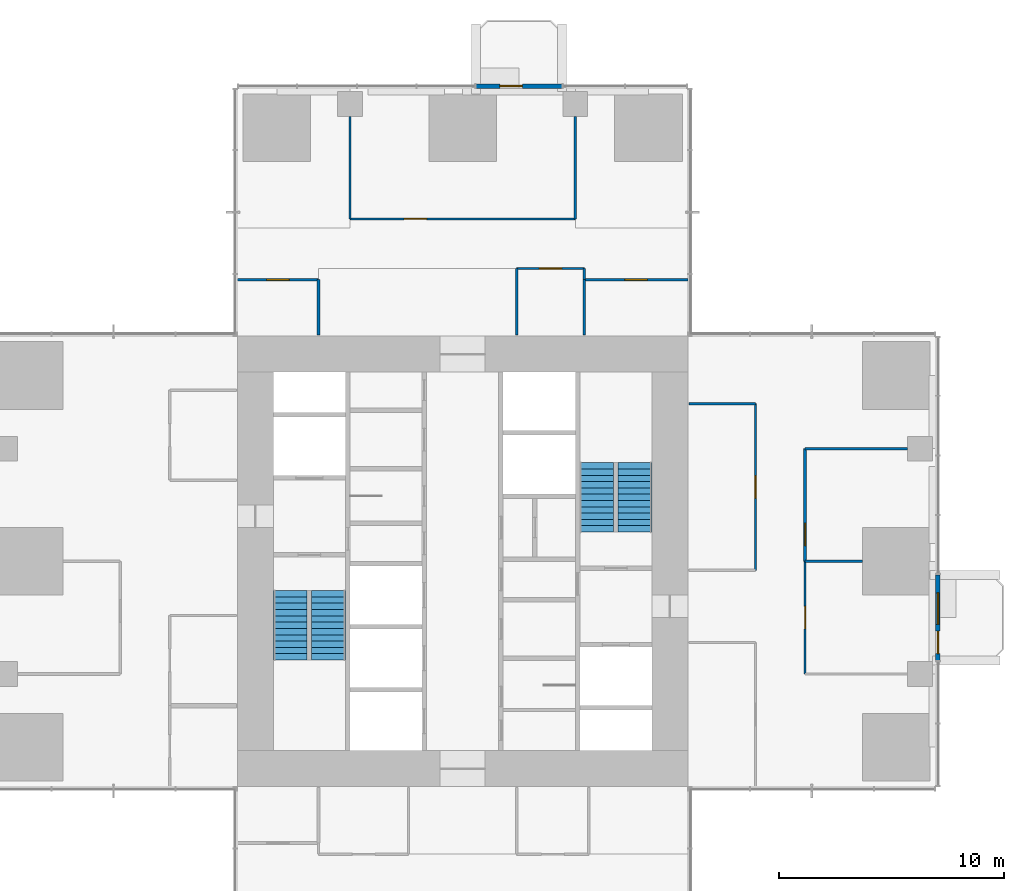
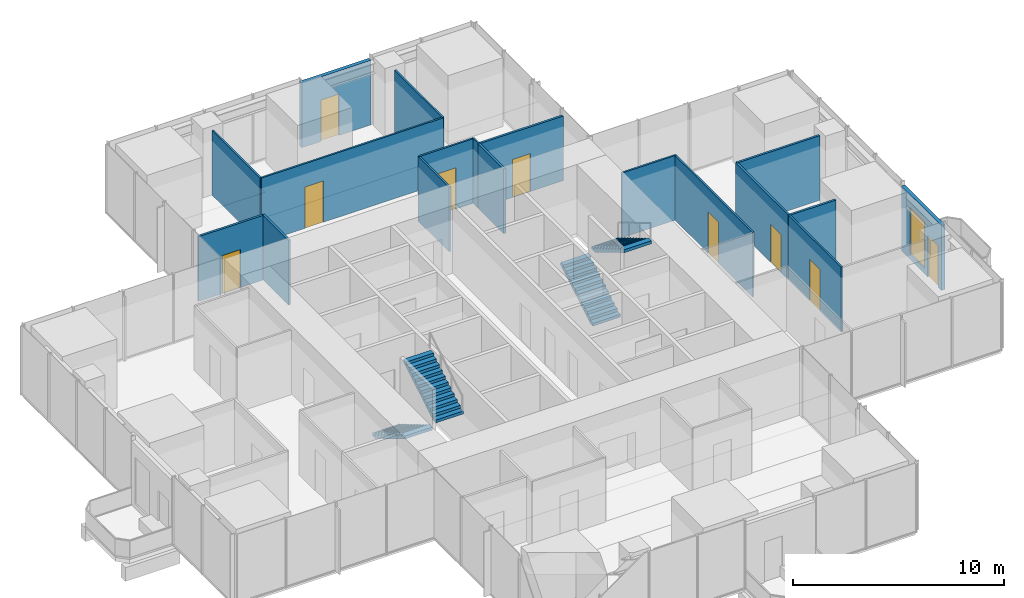
# One storey, part 10 of 13: 18 walls, 9 doors, 4 stair flights, 1 window, 10 openings, 2 elements without a shape of their own.
"""IFC4 building model written with IfcOpenShell, lengths in metres."""

from ifc_helpers import new_model, si_unit, direction, frame, frame_2d, origin, place, context, subcontext, project, spatial, polyline, rectangle, outline, extrude, material, layer, layer_set, type_object, element, fill, aggregate, save


model = new_model("IFC4")

# Units and contexts
model_context = context("Model", 3, precision=1e-05, world=origin(), true_north=direction((0.0, 1.0)))
body_context = subcontext(model_context, "Body", "Model", "MODEL_VIEW")
ifc_project = project(units=[si_unit("LENGTHUNIT", "METRE"), si_unit("AREAUNIT", "SQUARE_METRE"), si_unit("VOLUMEUNIT", "CUBIC_METRE"), si_unit("PLANEANGLEUNIT", "RADIAN"), si_unit("MASSUNIT", "GRAM", prefix="KILO")], contexts=[model_context])

# Site, building, storey
site_placement = place(None, origin())
site = spatial("IfcSite", under=ifc_project, at=site_placement, CompositionType="ELEMENT")
building_placement = place(site_placement, origin())
building = spatial("IfcBuilding", under=site, at=building_placement, Name="Svetlomir Tower", CompositionType="ELEMENT")
storey_placement = place(building_placement, frame((0.0, 0.0, 136.5)))
storey = spatial("IfcBuildingStorey", under=building, at=storey_placement, Name="L32", CompositionType="ELEMENT", Elevation=136.5)

# Wall, openings, door, window
ifc_material_1 = material(Name="Bronze anodised aluminium glazed screen", Category="aluminium")
ifc_layer_1 = layer(ifc_material_1, 0.199951171875)
ifc_layer_set_1 = layer_set([ifc_layer_1], Name="Bronze anodised aluminium glazed screen")
wall_type_1 = type_object("IfcWallType", Name="BALCONY SCREEN WALL 200", PredefinedType="USERDEFINED", material=ifc_layer_set_1)
wall_1_placement = place(storey_placement, frame((42.10009765625, 16.60009765625, 0.0), z_axis=(0.0, 0.0, 1.0), x_axis=(0.0, 1.0, 0.0)))
wall_1 = element("IfcWall", 1, at=wall_1_placement, inside=storey, type_object=wall_type_1, Name="Balcony screen E", ObjectType="GLAZED SCREEN", PredefinedType="USERDEFINED", context=body_context, shape_type="SweptSolid", body=[
    extrude(rectangle(XDim=3.7998046875, YDim=0.199951171875, at=frame_2d((1.89990234375, 0.0))), origin(), (0.0, 0.0, 1.0), 3.75),
])
opening_1_placement = place(wall_1_placement, frame((0.300048828125, 0.0, 0.0)))
opening_1 = element("IfcOpeningElement", 2, at=opening_1_placement, cuts=wall_1, Name="Opening BD", PredefinedType="OPENING", context=body_context, shape_type="SweptSolid", body=[
    extrude(rectangle(XDim=1.0, YDim=2.39990234375, at=frame_2d((0.5, 1.199951171875))), frame((0.0, 0.10986328125, 0.0), z_axis=(0.0, -1.0, 0.0), x_axis=(1.0, 0.0, 0.0)), (0.0, 0.0, 1.0), 0.219970703125),
])
opening_2_placement = place(wall_1_placement, frame((1.60009765625, 0.0, 0.300048828125)))
opening_2 = element("IfcOpeningElement", 3, at=opening_2_placement, cuts=wall_1, Name="Opening WS2", PredefinedType="OPENING", context=body_context, shape_type="SweptSolid", body=[
    extrude(rectangle(XDim=1.39990234375, YDim=2.699951171875, at=frame_2d((0.699951171875, 1.35009765625))), frame((0.0, 0.10986328125, 0.0), z_axis=(0.0, -1.0, 0.0), x_axis=(1.0, 0.0, 0.0)), (0.0, 0.0, 1.0), 0.219970703125),
])
ifc_material_2 = material(Name="Bronze anodised aluminium glazed door", Category="aluminium")
door_type_1 = type_object("IfcDoorType", Name="BALCONY DOOR BD 1000x2400", OperationType="SINGLE_SWING_LEFT", PredefinedType="DOOR", material=ifc_material_2)
door_1_placement = place(opening_1_placement, origin())
door_1 = element("IfcDoor", 4, at=door_1_placement, inside=storey, type_object=door_type_1, Name="Balcony screen E door", OperationType="SINGLE_SWING_LEFT", OverallHeight=2.39990234375, OverallWidth=1.0, PredefinedType="DOOR", context=body_context, shape_type="SweptSolid", body=[
    extrude(rectangle(XDim=1.0, YDim=2.39990234375, at=frame_2d((0.5, 1.199951171875))), frame((0.0, 0.02490234375, 0.0), z_axis=(0.0, -1.0, 0.0), x_axis=(1.0, 0.0, 0.0)), (0.0, 0.0, 1.0), 0.050048828125),
])
fill(opening_1, door_1)
ifc_material_3 = material(Name="Bronze anodised aluminium window", Category="aluminium")
window_type = type_object("IfcWindowType", Name="SCREEN WINDOW WS2 1400x2700", PartitioningType="SINGLE_PANEL", PredefinedType="WINDOW", material=ifc_material_3)
window_placement = place(opening_2_placement, origin())
window = element("IfcWindow", 5, at=window_placement, inside=storey, type_object=window_type, Name="Balcony screen E window 1", OverallHeight=2.699951171875, OverallWidth=1.39990234375, PartitioningType="SINGLE_PANEL", PredefinedType="WINDOW", context=body_context, shape_type="SweptSolid", body=[
    extrude(rectangle(XDim=1.39990234375, YDim=2.699951171875, at=frame_2d((0.699951171875, 1.35009765625))), frame((0.0, 0.030029296875, 0.0), z_axis=(0.0, -1.0, 0.0), x_axis=(1.0, 0.0, 0.0)), (0.0, 0.0, 1.0), 0.06005859375),
])
fill(opening_2, window)

# Wall, opening, door
wall_2_placement = place(storey_placement, frame((25.39990234375, 42.10009765625, 0.0), z_axis=(0.0, 0.0, 1.0), x_axis=(-1.0, 0.0, 0.0)))
wall_2 = element("IfcWall", 6, at=wall_2_placement, inside=storey, type_object=wall_type_1, Name="Balcony screen N", ObjectType="GLAZED SCREEN", PredefinedType="USERDEFINED", context=body_context, shape_type="SweptSolid", body=[
    extrude(rectangle(XDim=3.7998046875, YDim=0.199951171875, at=frame_2d((1.89990234375, 0.0))), origin(), (0.0, 0.0, 1.0), 3.75),
])
opening_3_placement = place(wall_2_placement, frame((1.75, 0.0, 0.0)))
opening_3 = element("IfcOpeningElement", 7, at=opening_3_placement, cuts=wall_2, Name="Opening BD", PredefinedType="OPENING", context=body_context, shape_type="SweptSolid", body=[
    extrude(rectangle(XDim=1.0, YDim=2.39990234375, at=frame_2d((0.5, 1.199951171875))), frame((0.0, 0.10986328125, 0.0), z_axis=(0.0, -1.0, 0.0), x_axis=(1.0, 0.0, 0.0)), (0.0, 0.0, 1.0), 0.219970703125),
])
door_2_placement = place(opening_3_placement, origin())
door_2 = element("IfcDoor", 8, at=door_2_placement, inside=storey, type_object=door_type_1, Name="Balcony screen N door", OperationType="SINGLE_SWING_LEFT", OverallHeight=2.39990234375, OverallWidth=1.0, PredefinedType="DOOR", context=body_context, shape_type="SweptSolid", body=[
    extrude(rectangle(XDim=1.0, YDim=2.39990234375, at=frame_2d((0.5, 1.199951171875))), frame((0.0, 0.02490234375, 0.0), z_axis=(0.0, -1.0, 0.0), x_axis=(1.0, 0.0, 0.0)), (0.0, 0.0, 1.0), 0.050048828125),
])
fill(opening_3, door_2)

# Wall
ifc_material_4 = material(Name="Framed laminated glass partition", Category="glass")
ifc_layer_2 = layer(ifc_material_4, 0.10009765625)
ifc_layer_set_2 = layer_set([ifc_layer_2], Name="Framed laminated glass partition")
wall_type_2 = type_object("IfcWallType", Name="GLAZED PARTITION 100", PredefinedType="PARTITIONING", material=ifc_layer_set_2)
wall_3_placement = place(storey_placement, frame((16.0, 36.199951171875, 0.0), z_axis=(0.0, 0.0, 1.0), x_axis=(0.0, 1.0, 0.0)))
element("IfcWall", 9, at=wall_3_placement, inside=storey, type_object=wall_type_2, Name="Glazed partition L32", PredefinedType="PARTITIONING", context=body_context, shape_type="SweptSolid", body=[
    extrude(rectangle(XDim=4.5400390625, YDim=0.10009765625, at=frame_2d((2.27001953125, 0.0))), origin(), (0.0, 0.0, 1.0), 3.75),
])

# Wall, opening, door
wall_4_placement = place(storey_placement, frame((16.0, 36.199951171875, 0.0), z_axis=(0.0, 0.0, 1.0), x_axis=(1.0, 0.0, 0.0)))
wall_4 = element("IfcWall", 10, at=wall_4_placement, inside=storey, type_object=wall_type_2, Name="Glazed partition L32", PredefinedType="PARTITIONING", context=body_context, shape_type="SweptSolid", body=[
    extrude(rectangle(XDim=10.0, YDim=0.10009765625, at=frame_2d((5.0, 0.0))), origin(), (0.0, 0.0, 1.0), 3.75),
])
opening_4_placement = place(wall_4_placement, frame((2.39990234375, 0.0, 0.0)))
opening_4 = element("IfcOpeningElement", 11, at=opening_4_placement, cuts=wall_4, Name="Opening DG", PredefinedType="OPENING", context=body_context, shape_type="SweptSolid", body=[
    extrude(rectangle(XDim=1.0, YDim=2.39990234375, at=frame_2d((0.5, 1.199951171875))), frame((0.0, 0.06005859375, 0.0), z_axis=(0.0, -1.0, 0.0), x_axis=(1.0, 0.0, 0.0)), (0.0, 0.0, 1.0), 0.1201171875),
])
ifc_material_5 = material(Name="Framed laminated glass door", Category="glass")
door_type_2 = type_object("IfcDoorType", Name="GLAZED DOOR DG 1000x2400", OperationType="SINGLE_SWING_LEFT", PredefinedType="DOOR", material=ifc_material_5)
door_3_placement = place(opening_4_placement, origin())
door_3 = element("IfcDoor", 12, at=door_3_placement, inside=storey, type_object=door_type_2, Name="Materials and samples library door L32", OperationType="SINGLE_SWING_RIGHT", OverallHeight=2.39990234375, OverallWidth=1.0, PredefinedType="DOOR", context=body_context, shape_type="SweptSolid", body=[
    extrude(rectangle(XDim=1.0, YDim=2.39990234375, at=frame_2d((0.5, 1.199951171875))), frame((0.0, 0.02490234375, 0.0), z_axis=(0.0, -1.0, 0.0), x_axis=(1.0, 0.0, 0.0)), (0.0, 0.0, 1.0), 0.050048828125),
])
fill(opening_4, door_3)

# Wall
wall_5_placement = place(storey_placement, frame((23.39990234375, 31.050048828125, 0.0), z_axis=(0.0, 0.0, 1.0), x_axis=(0.0, 1.0, 0.0)))
element("IfcWall", 13, at=wall_5_placement, inside=storey, type_object=wall_type_2, Name="Glazed partition L32", PredefinedType="PARTITIONING", context=body_context, shape_type="SweptSolid", body=[
    extrude(rectangle(XDim=2.949951171875, YDim=0.10009765625, at=frame_2d((1.47509765625, 0.0))), origin(), (0.0, 0.0, 1.0), 3.75),
])

# Wall, opening, door
wall_6_placement = place(storey_placement, frame((23.39990234375, 34.0, 0.0), z_axis=(0.0, 0.0, 1.0), x_axis=(1.0, 0.0, 0.0)))
wall_6 = element("IfcWall", 14, at=wall_6_placement, inside=storey, type_object=wall_type_2, Name="Glazed partition L32", PredefinedType="PARTITIONING", context=body_context, shape_type="SweptSolid", body=[
    extrude(rectangle(XDim=3.0, YDim=0.10009765625, at=frame_2d((1.5, 0.0))), origin(), (0.0, 0.0, 1.0), 3.75),
])
opening_5_placement = place(wall_6_placement, frame((1.0, 0.0, 0.0)))
opening_5 = element("IfcOpeningElement", 15, at=opening_5_placement, cuts=wall_6, Name="Opening DG", PredefinedType="OPENING", context=body_context, shape_type="SweptSolid", body=[
    extrude(rectangle(XDim=1.0, YDim=2.39990234375, at=frame_2d((0.5, 1.199951171875))), frame((0.0, 0.06005859375, 0.0), z_axis=(0.0, -1.0, 0.0), x_axis=(1.0, 0.0, 0.0)), (0.0, 0.0, 1.0), 0.1201171875),
])
door_4_placement = place(opening_5_placement, origin())
door_4 = element("IfcDoor", 16, at=door_4_placement, inside=storey, type_object=door_type_2, Name="Focus room 2 door L32", OperationType="SINGLE_SWING_LEFT", OverallHeight=2.39990234375, OverallWidth=1.0, PredefinedType="DOOR", context=body_context, shape_type="SweptSolid", body=[
    extrude(rectangle(XDim=1.0, YDim=2.39990234375, at=frame_2d((0.5, 1.199951171875))), frame((0.0, 0.02490234375, 0.0), z_axis=(0.0, -1.0, 0.0), x_axis=(1.0, 0.0, 0.0)), (0.0, 0.0, 1.0), 0.050048828125),
])
fill(opening_5, door_4)

# Walls
wall_7_placement = place(storey_placement, frame((26.0, 36.199951171875, 0.0), z_axis=(0.0, 0.0, 1.0), x_axis=(0.0, 1.0, 0.0)))
element("IfcWall", 17, at=wall_7_placement, inside=storey, type_object=wall_type_2, Name="Glazed partition L32", PredefinedType="PARTITIONING", context=body_context, shape_type="SweptSolid", body=[
    extrude(rectangle(XDim=4.5400390625, YDim=0.10009765625, at=frame_2d((2.27001953125, 0.0))), origin(), (0.0, 0.0, 1.0), 3.75),
])
wall_8_placement = place(storey_placement, frame((26.39990234375, 33.5, 0.0), z_axis=(0.0, 0.0, 1.0), x_axis=(0.0, 1.0, 0.0)))
element("IfcWall", 18, at=wall_8_placement, inside=storey, type_object=wall_type_2, Name="Glazed partition L32", PredefinedType="PARTITIONING", context=body_context, shape_type="SweptSolid", body=[
    extrude(rectangle(XDim=0.5, YDim=0.10009765625, at=frame_2d((0.25, 0.0))), origin(), (0.0, 0.0, 1.0), 3.75),
])
wall_9_placement = place(storey_placement, frame((31.050048828125, 28.0, 0.0), z_axis=(0.0, 0.0, 1.0), x_axis=(1.0, 0.0, 0.0)))
element("IfcWall", 19, at=wall_9_placement, inside=storey, type_object=wall_type_2, Name="Glazed partition L32", PredefinedType="PARTITIONING", context=body_context, shape_type="SweptSolid", body=[
    extrude(rectangle(XDim=2.949951171875, YDim=0.10009765625, at=frame_2d((1.47509765625, 0.0))), origin(), (0.0, 0.0, 1.0), 3.75),
])

# Wall, opening, door
wall_10_placement = place(storey_placement, frame((34.0, 20.60009765625, 0.0), z_axis=(0.0, 0.0, 1.0), x_axis=(0.0, 1.0, 0.0)))
wall_10 = element("IfcWall", 20, at=wall_10_placement, inside=storey, type_object=wall_type_2, Name="Glazed partition L32", PredefinedType="PARTITIONING", context=body_context, shape_type="SweptSolid", body=[
    extrude(rectangle(XDim=7.39990234375, YDim=0.10009765625, at=frame_2d((3.699951171875, 0.0))), origin(), (0.0, 0.0, 1.0), 3.75),
])
opening_6_placement = place(wall_10_placement, frame((3.199951171875, 0.0, 0.0)))
opening_6 = element("IfcOpeningElement", 21, at=opening_6_placement, cuts=wall_10, Name="Opening DG", PredefinedType="OPENING", context=body_context, shape_type="SweptSolid", body=[
    extrude(rectangle(XDim=1.0, YDim=2.39990234375, at=frame_2d((0.5, 1.199951171875))), frame((0.0, 0.06005859375, 0.0), z_axis=(0.0, -1.0, 0.0), x_axis=(1.0, 0.0, 0.0)), (0.0, 0.0, 1.0), 0.1201171875),
])
door_5_placement = place(opening_6_placement, origin())
door_5 = element("IfcDoor", 22, at=door_5_placement, inside=storey, type_object=door_type_2, Name="Team room, 10 seats door L32", OperationType="SINGLE_SWING_LEFT", OverallHeight=2.39990234375, OverallWidth=1.0, PredefinedType="DOOR", context=body_context, shape_type="SweptSolid", body=[
    extrude(rectangle(XDim=1.0, YDim=2.39990234375, at=frame_2d((0.5, 1.199951171875))), frame((0.0, 0.02490234375, 0.0), z_axis=(0.0, -1.0, 0.0), x_axis=(1.0, 0.0, 0.0)), (0.0, 0.0, 1.0), 0.050048828125),
])
fill(opening_6, door_5)

wall_11_placement = place(storey_placement, frame((36.199951171875, 16.0, 0.0), z_axis=(0.0, 0.0, 1.0), x_axis=(0.0, 1.0, 0.0)))
wall_11 = element("IfcWall", 23, at=wall_11_placement, inside=storey, type_object=wall_type_2, Name="Glazed partition L32", PredefinedType="PARTITIONING", context=body_context, shape_type="SweptSolid", body=[
    extrude(rectangle(XDim=5.0, YDim=0.10009765625, at=frame_2d((2.5, 0.0))), origin(), (0.0, 0.0, 1.0), 3.75),
])
opening_7_placement = place(wall_11_placement, frame((2.0, 0.0, 0.0)))
opening_7 = element("IfcOpeningElement", 24, at=opening_7_placement, cuts=wall_11, Name="Opening DG", PredefinedType="OPENING", context=body_context, shape_type="SweptSolid", body=[
    extrude(rectangle(XDim=1.0, YDim=2.39990234375, at=frame_2d((0.5, 1.199951171875))), frame((0.0, 0.06005859375, 0.0), z_axis=(0.0, -1.0, 0.0), x_axis=(1.0, 0.0, 0.0)), (0.0, 0.0, 1.0), 0.1201171875),
])
door_6_placement = place(opening_7_placement, origin())
door_6 = element("IfcDoor", 25, at=door_6_placement, inside=storey, type_object=door_type_2, Name="Break-out and kitchenette door L32", OperationType="SINGLE_SWING_LEFT", OverallHeight=2.39990234375, OverallWidth=1.0, PredefinedType="DOOR", context=body_context, shape_type="SweptSolid", body=[
    extrude(rectangle(XDim=1.0, YDim=2.39990234375, at=frame_2d((0.5, 1.199951171875))), frame((0.0, 0.02490234375, 0.0), z_axis=(0.0, -1.0, 0.0), x_axis=(1.0, 0.0, 0.0)), (0.0, 0.0, 1.0), 0.050048828125),
])
fill(opening_7, door_6)

ifc_material_6 = material(Name="Gypsum board on steel studs", Category="steel")
ifc_layer_3 = layer(ifc_material_6, 0.1201171875)
ifc_layer_set_3 = layer_set([ifc_layer_3], Name="Gypsum board on steel studs")
wall_type_3 = type_object("IfcWallType", Name="PARTITION 120", PredefinedType="PARTITIONING", material=ifc_layer_set_3)
wall_12_placement = place(storey_placement, frame((11.0, 33.5, 0.0), z_axis=(0.0, 0.0, 1.0), x_axis=(1.0, 0.0, 0.0)))
wall_12 = element("IfcWall", 26, at=wall_12_placement, inside=storey, type_object=wall_type_3, Name="Partition L32", PredefinedType="PARTITIONING", context=body_context, shape_type="SweptSolid", body=[
    extrude(rectangle(XDim=3.60009765625, YDim=0.1201171875, at=frame_2d((1.800048828125, 0.0))), origin(), (0.0, 0.0, 1.0), 3.75),
])
opening_8_placement = place(wall_12_placement, frame((1.300048828125, 0.0, 0.0)))
opening_8 = element("IfcOpeningElement", 27, at=opening_8_placement, cuts=wall_12, Name="Opening DR", PredefinedType="OPENING", context=body_context, shape_type="SweptSolid", body=[
    extrude(rectangle(XDim=1.0, YDim=2.199951171875, at=frame_2d((0.5, 1.10009765625))), frame((0.0, 0.070068359375, 0.0), z_axis=(0.0, -1.0, 0.0), x_axis=(1.0, 0.0, 0.0)), (0.0, 0.0, 1.0), 0.14013671875),
])
ifc_material_7 = material(Name="Timber door, glazed side light", Category="wood")
door_type_3 = type_object("IfcDoorType", Name="DOOR DR 1000x2200", OperationType="SINGLE_SWING_LEFT", PredefinedType="DOOR", material=ifc_material_7)
door_7_placement = place(opening_8_placement, origin())
door_7 = element("IfcDoor", 28, at=door_7_placement, inside=storey, type_object=door_type_3, Name="Site kit store door L32", OperationType="SINGLE_SWING_RIGHT", OverallHeight=2.199951171875, OverallWidth=1.0, PredefinedType="DOOR", context=body_context, shape_type="SweptSolid", body=[
    extrude(rectangle(XDim=1.0, YDim=2.199951171875, at=frame_2d((0.5, 1.10009765625))), frame((0.0, 0.02490234375, 0.0), z_axis=(0.0, -1.0, 0.0), x_axis=(1.0, 0.0, 0.0)), (0.0, 0.0, 1.0), 0.050048828125),
])
fill(opening_8, door_7)

# Walls
for number, where, z_axis, x_axis, name in (
    (29, (14.60009765625, 31.050048828125, 0.0), (0.0, 0.0, 1.0), (0.0, 1.0, 0.0), "Partition L32"),
    (30, (26.39990234375, 31.050048828125, 0.0), (0.0, 0.0, 1.0), (0.0, 1.0, 0.0), "Partition L32"),
):
    element("IfcWall", number, at=place(storey_placement, frame(where, z_axis=z_axis, x_axis=x_axis)), inside=storey, type_object=wall_type_3, Name=name, PredefinedType="PARTITIONING", context=body_context, shape_type="SweptSolid", body=[
        extrude(rectangle(XDim=2.449951171875, YDim=0.1201171875, at=frame_2d((1.22509765625, 0.0))), origin(), (0.0, 0.0, 1.0), 3.75),
    ])

# Wall, opening, door
wall_13_placement = place(storey_placement, frame((26.39990234375, 33.5, 0.0), z_axis=(0.0, 0.0, 1.0), x_axis=(1.0, 0.0, 0.0)))
wall_13 = element("IfcWall", 31, at=wall_13_placement, inside=storey, type_object=wall_type_3, Name="Partition L32", PredefinedType="PARTITIONING", context=body_context, shape_type="SweptSolid", body=[
    extrude(rectangle(XDim=4.60009765625, YDim=0.1201171875, at=frame_2d((2.300048828125, 0.0))), origin(), (0.0, 0.0, 1.0), 3.75),
])
opening_9_placement = place(wall_13_placement, frame((1.800048828125, 0.0, 0.0)))
opening_9 = element("IfcOpeningElement", 32, at=opening_9_placement, cuts=wall_13, Name="Opening DR", PredefinedType="OPENING", context=body_context, shape_type="SweptSolid", body=[
    extrude(rectangle(XDim=1.0, YDim=2.199951171875, at=frame_2d((0.5, 1.10009765625))), frame((0.0, 0.070068359375, 0.0), z_axis=(0.0, -1.0, 0.0), x_axis=(1.0, 0.0, 0.0)), (0.0, 0.0, 1.0), 0.14013671875),
])
door_8_placement = place(opening_9_placement, origin())
door_8 = element("IfcDoor", 33, at=door_8_placement, inside=storey, type_object=door_type_3, Name="Plotter and print room door L32", OperationType="SINGLE_SWING_LEFT", OverallHeight=2.199951171875, OverallWidth=1.0, PredefinedType="DOOR", context=body_context, shape_type="SweptSolid", body=[
    extrude(rectangle(XDim=1.0, YDim=2.199951171875, at=frame_2d((0.5, 1.10009765625))), frame((0.0, 0.02490234375, 0.0), z_axis=(0.0, -1.0, 0.0), x_axis=(1.0, 0.0, 0.0)), (0.0, 0.0, 1.0), 0.050048828125),
])
fill(opening_9, door_8)

wall_14_placement = place(storey_placement, frame((36.199951171875, 21.0, 0.0), z_axis=(0.0, 0.0, 1.0), x_axis=(0.0, 1.0, 0.0)))
wall_14 = element("IfcWall", 34, at=wall_14_placement, inside=storey, type_object=wall_type_3, Name="Partition L32", PredefinedType="PARTITIONING", context=body_context, shape_type="SweptSolid", body=[
    extrude(rectangle(XDim=5.0, YDim=0.1201171875, at=frame_2d((2.5, 0.0))), origin(), (0.0, 0.0, 1.0), 3.75),
])
opening_10_placement = place(wall_14_placement, frame((0.699951171875, 0.0, 0.0)))
opening_10 = element("IfcOpeningElement", 35, at=opening_10_placement, cuts=wall_14, Name="Opening DR", PredefinedType="OPENING", context=body_context, shape_type="SweptSolid", body=[
    extrude(rectangle(XDim=1.0, YDim=2.199951171875, at=frame_2d((0.5, 1.10009765625))), frame((0.0, 0.070068359375, 0.0), z_axis=(0.0, -1.0, 0.0), x_axis=(1.0, 0.0, 0.0)), (0.0, 0.0, 1.0), 0.14013671875),
])
door_9_placement = place(opening_10_placement, origin())
door_9 = element("IfcDoor", 36, at=door_9_placement, inside=storey, type_object=door_type_3, Name="Head of real estate office door L32", OperationType="SINGLE_SWING_LEFT", OverallHeight=2.199951171875, OverallWidth=1.0, PredefinedType="DOOR", context=body_context, shape_type="SweptSolid", body=[
    extrude(rectangle(XDim=1.0, YDim=2.199951171875, at=frame_2d((0.5, 1.10009765625))), frame((0.0, 0.02490234375, 0.0), z_axis=(0.0, -1.0, 0.0), x_axis=(1.0, 0.0, 0.0)), (0.0, 0.0, 1.0), 0.050048828125),
])
fill(opening_10, door_9)

# Walls
wall_15_placement = place(storey_placement, frame((36.199951171875, 21.0, 0.0), z_axis=(0.0, 0.0, 1.0), x_axis=(1.0, 0.0, 0.0)))
element("IfcWall", 37, at=wall_15_placement, inside=storey, type_object=wall_type_3, Name="Partition L32", PredefinedType="PARTITIONING", context=body_context, shape_type="SweptSolid", body=[
    extrude(rectangle(XDim=2.5400390625, YDim=0.1201171875, at=frame_2d((1.27001953125, 0.0))), origin(), (0.0, 0.0, 1.0), 3.75),
])
wall_16_placement = place(storey_placement, frame((36.199951171875, 26.0, 0.0), z_axis=(0.0, 0.0, 1.0), x_axis=(1.0, 0.0, 0.0)))
element("IfcWall", 38, at=wall_16_placement, inside=storey, type_object=wall_type_3, Name="Partition L32", PredefinedType="PARTITIONING", context=body_context, shape_type="SweptSolid", body=[
    extrude(rectangle(XDim=4.5400390625, YDim=0.1201171875, at=frame_2d((2.27001953125, 0.0))), origin(), (0.0, 0.0, 1.0), 3.75),
])

# Stair, stair flights
ifc_material_8 = material(Name="Concrete C60/75", Category="concrete")
stair_type = type_object("IfcStairType", Name="EXIT STAIR 3200 RISE 4000", PredefinedType="HALF_TURN_STAIR", material=ifc_material_8)
stair_1_placement = place(storey_placement, origin())
stair_1 = element("IfcStair", 39, at=stair_1_placement, inside=storey, type_object=stair_type, Name="Stair S1 L32 to L33", PredefinedType="HALF_TURN_STAIR")
ifc_material_9 = material(Name="Concrete C60/75", Category="concrete")
stair_flight_type = type_object("IfcStairFlightType", Name="STAIR FLIGHT 1500 OF 12 RISERS", PredefinedType="STRAIGHT", material=ifc_material_9)
stair_flight_1_placement = place(storey_placement, frame((13.35009765625, 19.699951171875, 0.0), z_axis=(0.0, 0.0, 1.0), x_axis=(0.0, -1.0, 0.0)))
stair_flight_1 = element("IfcStairFlight", 40, at=stair_flight_1_placement, type_object=stair_flight_type, Name="S1 flight 1", NumberOfRisers=12, NumberOfTreads=11, PredefinedType="STRAIGHT", RiserHeight=0.166666667, TreadLength=0.28, context=body_context, shape_type="SweptSolid", body=[
    extrude(outline(polyline([(0.0, 0.0), (0.0, 0.166748046875), (0.280029296875, 0.166748046875), (0.280029296875, 0.333251953125), (0.56005859375, 0.333251953125), (0.56005859375, 0.5), (0.840087890625, 0.5), (0.840087890625, 0.666748046875), (1.1201171875, 0.666748046875), (1.1201171875, 0.833251953125), (1.39990234375, 0.833251953125), (1.39990234375, 1.0), (1.679931640625, 1.0), (1.679931640625, 1.166748046875), (1.9599609375, 1.166748046875), (1.9599609375, 1.333251953125), (2.239990234375, 1.333251953125), (2.239990234375, 1.5), (2.52001953125, 1.5), (2.52001953125, 1.666748046875), (2.800048828125, 1.666748046875), (2.800048828125, 1.833251953125), (3.080078125, 1.833251953125), (3.080078125, 2.0), (3.080078125, 1.658935546875), (0.29296875, 0.0), (0.0, 0.0)])), frame((0.0, 0.75, 0.0), z_axis=(0.0, -1.0, 0.0), x_axis=(1.0, 0.0, 0.0)), (0.0, 0.0, 1.0), 1.5),
])
stair_flight_2_placement = place(storey_placement, frame((15.050048828125, 16.6201171875, 2.0), z_axis=(0.0, 0.0, 1.0), x_axis=(0.0, 1.0, 0.0)))
stair_flight_2 = element("IfcStairFlight", 41, at=stair_flight_2_placement, type_object=stair_flight_type, Name="S1 flight 2", NumberOfRisers=12, NumberOfTreads=11, PredefinedType="STRAIGHT", RiserHeight=0.166666667, TreadLength=0.28, context=body_context, shape_type="SweptSolid", body=[
    extrude(outline(polyline([(0.0, 0.0), (0.0, 0.166748046875), (0.280029296875, 0.166748046875), (0.280029296875, 0.333251953125), (0.56005859375, 0.333251953125), (0.56005859375, 0.5), (0.840087890625, 0.5), (0.840087890625, 0.666748046875), (1.1201171875, 0.666748046875), (1.1201171875, 0.833251953125), (1.39990234375, 0.833251953125), (1.39990234375, 1.0), (1.679931640625, 1.0), (1.679931640625, 1.166748046875), (1.9599609375, 1.166748046875), (1.9599609375, 1.333251953125), (2.239990234375, 1.333251953125), (2.239990234375, 1.5), (2.52001953125, 1.5), (2.52001953125, 1.666748046875), (2.800048828125, 1.666748046875), (2.800048828125, 1.833251953125), (3.080078125, 1.833251953125), (3.080078125, 2.0), (3.080078125, 1.658935546875), (0.29296875, 0.0), (0.0, 0.0)])), frame((0.0, 0.75, 0.0), z_axis=(0.0, -1.0, 0.0), x_axis=(1.0, 0.0, 0.0)), (0.0, 0.0, 1.0), 1.5),
])
aggregate(stair_1, [stair_flight_1, stair_flight_2])

stair_2_placement = place(storey_placement, origin())
stair_2 = element("IfcStair", 42, at=stair_2_placement, inside=storey, type_object=stair_type, Name="Stair S2 L32 to L33", PredefinedType="HALF_TURN_STAIR")
stair_flight_3_placement = place(storey_placement, frame((26.949951171875, 22.300048828125, 0.0), z_axis=(0.0, 0.0, 1.0), x_axis=(0.0, 1.0, 0.0)))
stair_flight_3 = element("IfcStairFlight", 43, at=stair_flight_3_placement, type_object=stair_flight_type, Name="S2 flight 1", NumberOfRisers=12, NumberOfTreads=11, PredefinedType="STRAIGHT", RiserHeight=0.166666667, TreadLength=0.28, context=body_context, shape_type="SweptSolid", body=[
    extrude(outline(polyline([(0.0, 0.0), (0.0, 0.166748046875), (0.280029296875, 0.166748046875), (0.280029296875, 0.333251953125), (0.56005859375, 0.333251953125), (0.56005859375, 0.5), (0.840087890625, 0.5), (0.840087890625, 0.666748046875), (1.1201171875, 0.666748046875), (1.1201171875, 0.833251953125), (1.39990234375, 0.833251953125), (1.39990234375, 1.0), (1.679931640625, 1.0), (1.679931640625, 1.166748046875), (1.9599609375, 1.166748046875), (1.9599609375, 1.333251953125), (2.239990234375, 1.333251953125), (2.239990234375, 1.5), (2.52001953125, 1.5), (2.52001953125, 1.666748046875), (2.800048828125, 1.666748046875), (2.800048828125, 1.833251953125), (3.080078125, 1.833251953125), (3.080078125, 2.0), (3.080078125, 1.658935546875), (0.29296875, 0.0), (0.0, 0.0)])), frame((0.0, 0.75, 0.0), z_axis=(0.0, -1.0, 0.0), x_axis=(1.0, 0.0, 0.0)), (0.0, 0.0, 1.0), 1.5),
])
stair_flight_4_placement = place(storey_placement, frame((28.64990234375, 25.3798828125, 2.0), z_axis=(0.0, 0.0, 1.0), x_axis=(0.0, -1.0, 0.0)))
stair_flight_4 = element("IfcStairFlight", 44, at=stair_flight_4_placement, type_object=stair_flight_type, Name="S2 flight 2", NumberOfRisers=12, NumberOfTreads=11, PredefinedType="STRAIGHT", RiserHeight=0.166666667, TreadLength=0.28, context=body_context, shape_type="SweptSolid", body=[
    extrude(outline(polyline([(0.0, 0.0), (0.0, 0.166748046875), (0.280029296875, 0.166748046875), (0.280029296875, 0.333251953125), (0.56005859375, 0.333251953125), (0.56005859375, 0.5), (0.840087890625, 0.5), (0.840087890625, 0.666748046875), (1.1201171875, 0.666748046875), (1.1201171875, 0.833251953125), (1.39990234375, 0.833251953125), (1.39990234375, 1.0), (1.679931640625, 1.0), (1.679931640625, 1.166748046875), (1.9599609375, 1.166748046875), (1.9599609375, 1.333251953125), (2.239990234375, 1.333251953125), (2.239990234375, 1.5), (2.52001953125, 1.5), (2.52001953125, 1.666748046875), (2.800048828125, 1.666748046875), (2.800048828125, 1.833251953125), (3.080078125, 1.833251953125), (3.080078125, 2.0), (3.080078125, 1.658935546875), (0.29296875, 0.0), (0.0, 0.0)])), frame((0.0, 0.75, 0.0), z_axis=(0.0, -1.0, 0.0), x_axis=(1.0, 0.0, 0.0)), (0.0, 0.0, 1.0), 1.5),
])
aggregate(stair_2, [stair_flight_3, stair_flight_4])

save(model, "model.ifc")
